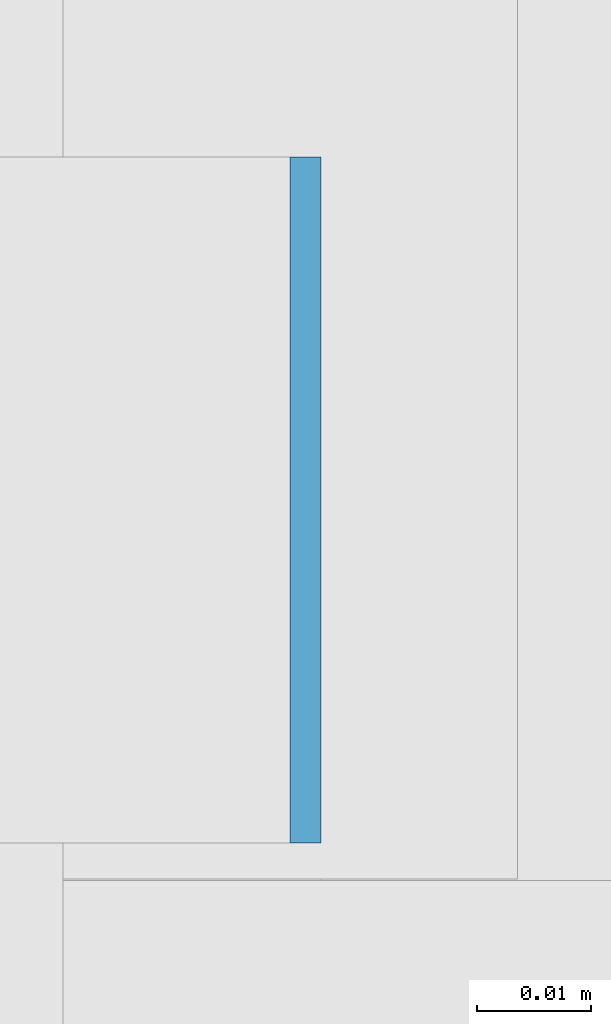
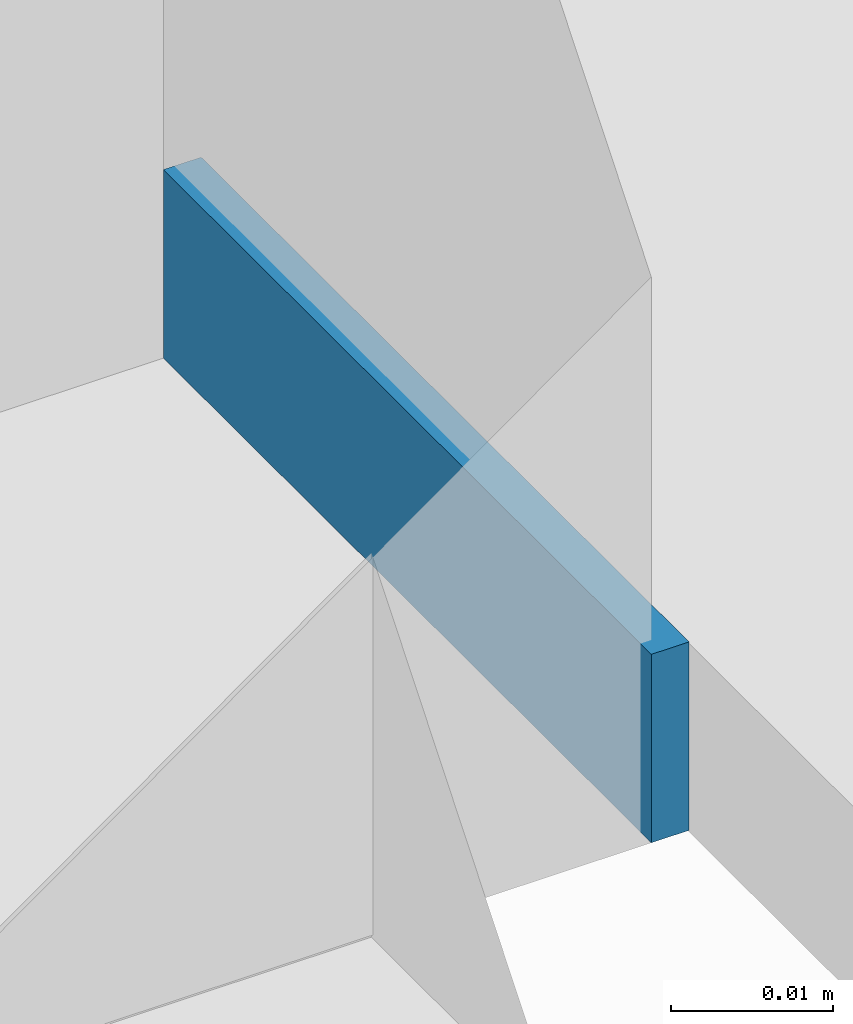
# One storey, part 248 of 646: 1 discrete accessory.
"""IFC4 building model written with IfcOpenShell, lengths in metres."""

from ifc_helpers import new_model, si_unit, direction, frame, origin, origin_2d, place, context, subcontext, project, spatial, rectangle, extrude, material, type_object, element, save


model = new_model("IFC4")

# Units and contexts
model_context = context("Model", 3, precision=1e-05, world=origin(), true_north=direction((0.0, 1.0)))
body_context = subcontext(model_context, "Body", "Model", "MODEL_VIEW")
ifc_project = project(units=[si_unit("LENGTHUNIT", "METRE"), si_unit("AREAUNIT", "SQUARE_METRE"), si_unit("VOLUMEUNIT", "CUBIC_METRE"), si_unit("PLANEANGLEUNIT", "RADIAN"), si_unit("MASSUNIT", "GRAM", prefix="KILO")], contexts=[model_context])

# Site, building, storey
site_placement = place(None, origin())
site = spatial("IfcSite", under=ifc_project, at=site_placement, CompositionType="ELEMENT")
building_placement = place(site_placement, origin())
building = spatial("IfcBuilding", under=site, at=building_placement, Name="Silverbay Arena", CompositionType="ELEMENT")
storey_placement = place(building_placement, frame((0.0, 0.0, 33.5)))
storey = spatial("IfcBuildingStorey", under=building, at=storey_placement, Name="L05", CompositionType="ELEMENT", Elevation=33.5)

# Discrete accessory
ifc_material = material(Name="Steel S355", Category="steel")
discrete_accessory_type = type_object("IfcDiscreteAccessoryType", Name="Steel bracket plate", PredefinedType="BRACKET", material=ifc_material)
discrete_accessory_placement = place(storey_placement, frame((53.871337890625, 33.13330078125, 4.0), z_axis=(0.0, 0.0, 1.0), x_axis=(1.0, 0.0, 0.0)))
element("IfcDiscreteAccessory", 1, at=discrete_accessory_placement, inside=storey, type_object=discrete_accessory_type, Name="Curtain wall packing plate", PredefinedType="BRACKET", context=body_context, shape_type="SweptSolid", body=[
    extrude(rectangle(XDim=0.002685546875, YDim=0.06005859375, at=origin_2d()), origin(), (0.0, 0.0, 1.0), 0.01416015625),
])

save(model, "model.ifc")
